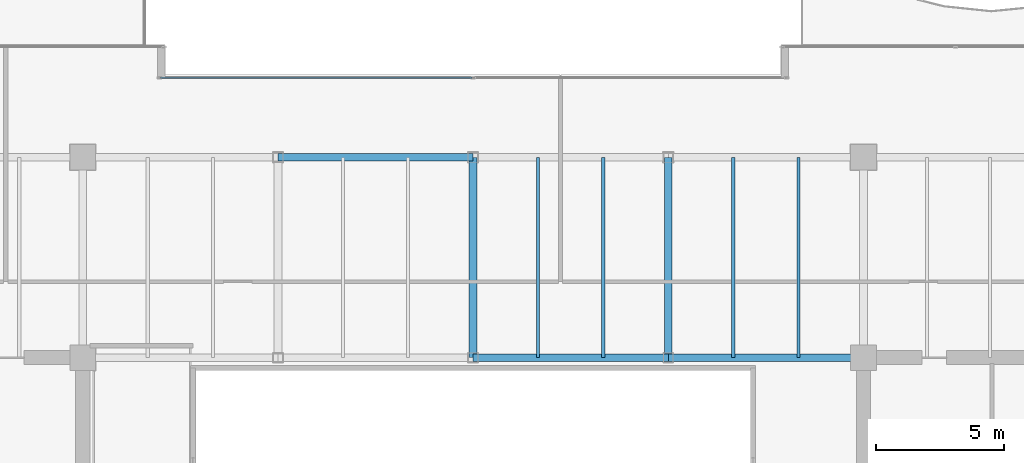
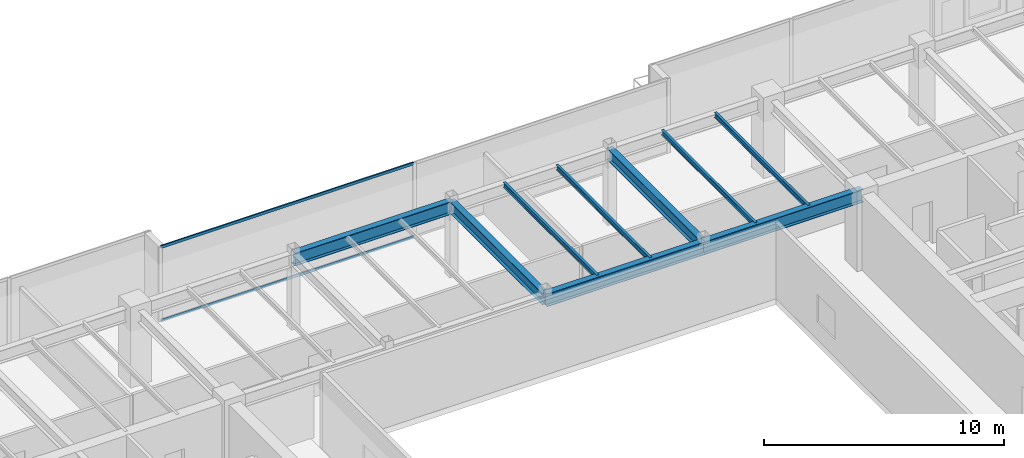
# One storey, part 18 of 35: 9 beams, 2 members, 1 element without a shape of its own.
"""IFC4 building model written with IfcOpenShell, lengths in metres."""

from ifc_helpers import new_model, si_unit, direction, frame, origin, origin_2d, place, context, subcontext, project, spatial, hollow_rectangle, i_section, extrude, source, transform, mapped, material, layer, layer_set, material_profile, profile_set, type_object, type_shapes, element, aggregate, save


model = new_model("IFC4")

# Units and contexts
model_context = context("Model", 3, precision=1e-05, world=origin(), true_north=direction((0.0, 1.0)))
body_context = subcontext(model_context, "Body", "Model", "MODEL_VIEW")
ifc_project = project(units=[si_unit("LENGTHUNIT", "METRE"), si_unit("AREAUNIT", "SQUARE_METRE"), si_unit("VOLUMEUNIT", "CUBIC_METRE"), si_unit("PLANEANGLEUNIT", "RADIAN"), si_unit("MASSUNIT", "GRAM", prefix="KILO")], contexts=[model_context])

# Site, building, storey
site_placement = place(None, origin())
site = spatial("IfcSite", under=ifc_project, at=site_placement, CompositionType="ELEMENT")
building_placement = place(site_placement, origin())
building = spatial("IfcBuilding", under=site, at=building_placement, Name="Haelvirn Gate Laboratories", CompositionType="ELEMENT")
storey_placement = place(building_placement, frame((0.0, 0.0, 283.39990234375)))
storey = spatial("IfcBuildingStorey", under=building, at=storey_placement, Name="L68", CompositionType="ELEMENT", Elevation=283.39990234375)

# Beams
ifc_material_1 = material(Name="Steel SM355", Category="steel")
ifc_material_profile_1 = material_profile(ifc_material_1, i_section(OverallWidth=0.300048828125, OverallDepth=0.587890625, WebThickness=0.011962890625, FlangeThickness=0.02001953125, at=origin_2d()), Name="H-588x300x12x20")
ifc_profile_set_1 = profile_set([ifc_material_profile_1], Name="Steel SM355")
beam_type_1 = type_object("IfcBeamType", Name="BM-G-588", PredefinedType="BEAM", material=ifc_profile_set_1)
shared_shape_1 = source(origin(), body_context, "Body", "SweptSolid", [
    extrude(i_section(OverallWidth=0.300048828125, OverallDepth=0.587890625, WebThickness=0.011962890625, FlangeThickness=0.02001953125, at=origin_2d()), origin(), (0.0, 0.0, 1.0), 7.800048828125),
])
type_shapes(beam_type_1, [shared_shape_1])
for number, where, z_axis, x_axis, name in (
    (1, (37.39990234375, 33.800048828125, 3.506103515625), (0.0, 1.0, 0.0), (-1.0, 0.0, 0.0), "L68 Frame Girder X37.4 (33.8-41.6)"),
    (2, (45.0, 33.800048828125, 3.506103515625), (0.0, 1.0, 0.0), (-1.0, 0.0, 0.0), "L68 Frame Girder X45.0 (33.8-41.6)"),
):
    element("IfcBeam", number, at=place(storey_placement, frame(where, z_axis=z_axis, x_axis=x_axis)), inside=storey, type_object=beam_type_1, Name=name, PredefinedType="BEAM", context=body_context, shape_type="MappedRepresentation", body=[
        mapped(shared_shape_1, transform((0.0, 0.0, 0.0), scale=1.0)),
    ])
ifc_material_profile_2 = material_profile(ifc_material_1, i_section(OverallWidth=0.300048828125, OverallDepth=0.64990234375, WebThickness=0.012939453125, FlangeThickness=0.02197265625, at=origin_2d()), Name="H-650x300x13x22")
ifc_profile_set_2 = profile_set([ifc_material_profile_2], Name="Steel SM355")
beam_type_2 = type_object("IfcBeamType", Name="BM-G-650", PredefinedType="BEAM", material=ifc_profile_set_2)
shared_shape_2 = source(origin(), body_context, "Body", "SweptSolid", [
    extrude(i_section(OverallWidth=0.300048828125, OverallDepth=0.64990234375, WebThickness=0.012939453125, FlangeThickness=0.02197265625, at=origin_2d()), origin(), (0.0, 0.0, 1.0), 7.60009765625),
])
for number, where, z_axis, x_axis, name in (
    (3, (37.39990234375, 33.800048828125, 3.47509765625), (1.0, 0.0, 0.0), (0.0, 1.0, 0.0), "L68 Primary Girder Y33.8 (37.4-45.0)"),
    (4, (45.0, 33.800048828125, 3.47509765625), (1.0, 0.0, 0.0), (0.0, 1.0, 0.0), "L68 Primary Girder Y33.8 (45.0-52.6)"),
):
    element("IfcBeam", number, at=place(storey_placement, frame(where, z_axis=z_axis, x_axis=x_axis)), inside=storey, type_object=beam_type_2, Name=name, PredefinedType="BEAM", context=body_context, shape_type="MappedRepresentation", body=[
        mapped(shared_shape_2, transform((0.0, 0.0, 0.0), scale=1.0)),
    ])
shared_shape_3 = source(origin(), body_context, "Body", "SweptSolid", [
    extrude(i_section(OverallWidth=0.300048828125, OverallDepth=0.64990234375, WebThickness=0.012939453125, FlangeThickness=0.02197265625, at=origin_2d()), origin(), (0.0, 0.0, 1.0), 7.599853515625),
])
type_shapes(beam_type_2, [shared_shape_2, shared_shape_3])
beam_placement = place(storey_placement, frame((29.800048828125, 41.60009765625, 3.47509765625), z_axis=(1.0, 0.0, 0.0), x_axis=(0.0, 1.0, 0.0)))
element("IfcBeam", 5, at=beam_placement, inside=storey, type_object=beam_type_2, Name="L68 Primary Girder Y41.6 (29.8-37.4)", PredefinedType="BEAM", context=body_context, shape_type="MappedRepresentation", body=[
    mapped(shared_shape_3, transform((0.0, 0.0, 0.0), scale=1.0)),
])
ifc_material_profile_3 = material_profile(ifc_material_1, i_section(OverallWidth=0.125, OverallDepth=0.25, WebThickness=0.006103515625, FlangeThickness=0.009033203125, at=origin_2d()), Name="H-250x125x6x9")
ifc_profile_set_3 = profile_set([ifc_material_profile_3], Name="Steel SM355")
beam_type_3 = type_object("IfcBeamType", Name="BM-J-250", PredefinedType="JOIST", material=ifc_profile_set_3)
shared_shape_4 = source(origin(), body_context, "Body", "SweptSolid", [
    extrude(i_section(OverallWidth=0.125, OverallDepth=0.25, WebThickness=0.006103515625, FlangeThickness=0.009033203125, at=origin_2d()), origin(), (0.0, 0.0, 1.0), 7.800048828125),
])
type_shapes(beam_type_3, [shared_shape_4])
for number, where, z_axis, x_axis, name in (
    (6, (39.929931640625, 33.800048828125, 3.675048828125), (0.0, 1.0, 0.0), (-1.0, 0.0, 0.0), "L68 Composite Lab Joist North X39.93"),
    (7, (42.469970703125, 33.800048828125, 3.675048828125), (0.0, 1.0, 0.0), (-1.0, 0.0, 0.0), "L68 Composite Lab Joist North X42.47"),
    (8, (47.530029296875, 33.800048828125, 3.675048828125), (0.0, 1.0, 0.0), (-1.0, 0.0, 0.0), "L68 Composite Lab Joist North X47.53"),
    (9, (50.070068359375, 33.800048828125, 3.675048828125), (0.0, 1.0, 0.0), (-1.0, 0.0, 0.0), "L68 Composite Lab Joist North X50.07"),
):
    element("IfcBeam", number, at=place(storey_placement, frame(where, z_axis=z_axis, x_axis=x_axis)), inside=storey, type_object=beam_type_3, Name=name, PredefinedType="JOIST", context=body_context, shape_type="MappedRepresentation", body=[
        mapped(shared_shape_4, transform((0.0, 0.0, 0.0), scale=1.0)),
    ])

# Curtain wall, members
ifc_material_2 = material(Name="Anodised bronze unitised aluminium & triple low-E glass", Category="aluminium")
ifc_layer = layer(ifc_material_2, 0.176025390625, Name="CW-SYS-4")
ifc_layer_set = layer_set([ifc_layer], Name="Anodised bronze unitised aluminium & triple low-E glass")
curtain_wall_type = type_object("IfcCurtainWallType", Name="CW-SYS-4", PredefinedType="NOTDEFINED", material=ifc_layer_set)
curtain_wall_placement = place(storey_placement, origin())
curtain_wall = element("IfcCurtainWall", 10, at=curtain_wall_placement, inside=storey, type_object=curtain_wall_type, Name="L68 Unitised Curtain Wall CW-L68-P0-E12-1", PredefinedType="NOTDEFINED")
ifc_material_3 = material(Name="Extruded aluminium 6063-T6 (anodised bronze)", Category="aluminium")
ifc_material_profile_4 = material_profile(ifc_material_3, hollow_rectangle(XDim=0.06494140625, YDim=0.139892578125, WallThickness=0.00390625, at=origin_2d()), Name="CWT-140x65x4")
ifc_profile_set_4 = profile_set([ifc_material_profile_4], Name="Extruded aluminium 6063-T6 (anodised bronze)")
member_type = type_object("IfcMemberType", Name="CWT-T140", PredefinedType="USERDEFINED", material=ifc_profile_set_4)
shared_shape_5 = source(origin(), body_context, "Body", "SweptSolid", [
    extrude(hollow_rectangle(XDim=0.06494140625, YDim=0.139892578125, WallThickness=0.00390625, at=origin_2d()), origin(), (0.0, 0.0, 1.0), 12.135009765625),
])
type_shapes(member_type, [shared_shape_5])
member_1_placement = place(storey_placement, frame((25.22998046875, 44.699951171875, 0.03271484375), z_axis=(1.0, 0.0, 0.0), x_axis=(0.0, 1.0, 0.0)))
member_1 = element("IfcMember", 11, at=member_1_placement, type_object=member_type, Name="CW4 transom 1.1", ObjectType="TRANSOM", PredefinedType="USERDEFINED", context=body_context, shape_type="MappedRepresentation", body=[
    mapped(shared_shape_5, transform((0.0, 0.0, 0.0), scale=1.0)),
])
member_2_placement = place(storey_placement, frame((25.22998046875, 44.699951171875, 3.767578125), z_axis=(1.0, 0.0, 0.0), x_axis=(0.0, 1.0, 0.0)))
member_2 = element("IfcMember", 12, at=member_2_placement, type_object=member_type, Name="CW4 transom 1.2", ObjectType="TRANSOM", PredefinedType="USERDEFINED", context=body_context, shape_type="MappedRepresentation", body=[
    mapped(shared_shape_5, transform((0.0, 0.0, 0.0), scale=1.0)),
])
aggregate(curtain_wall, [member_1, member_2])

save(model, "model.ifc")
